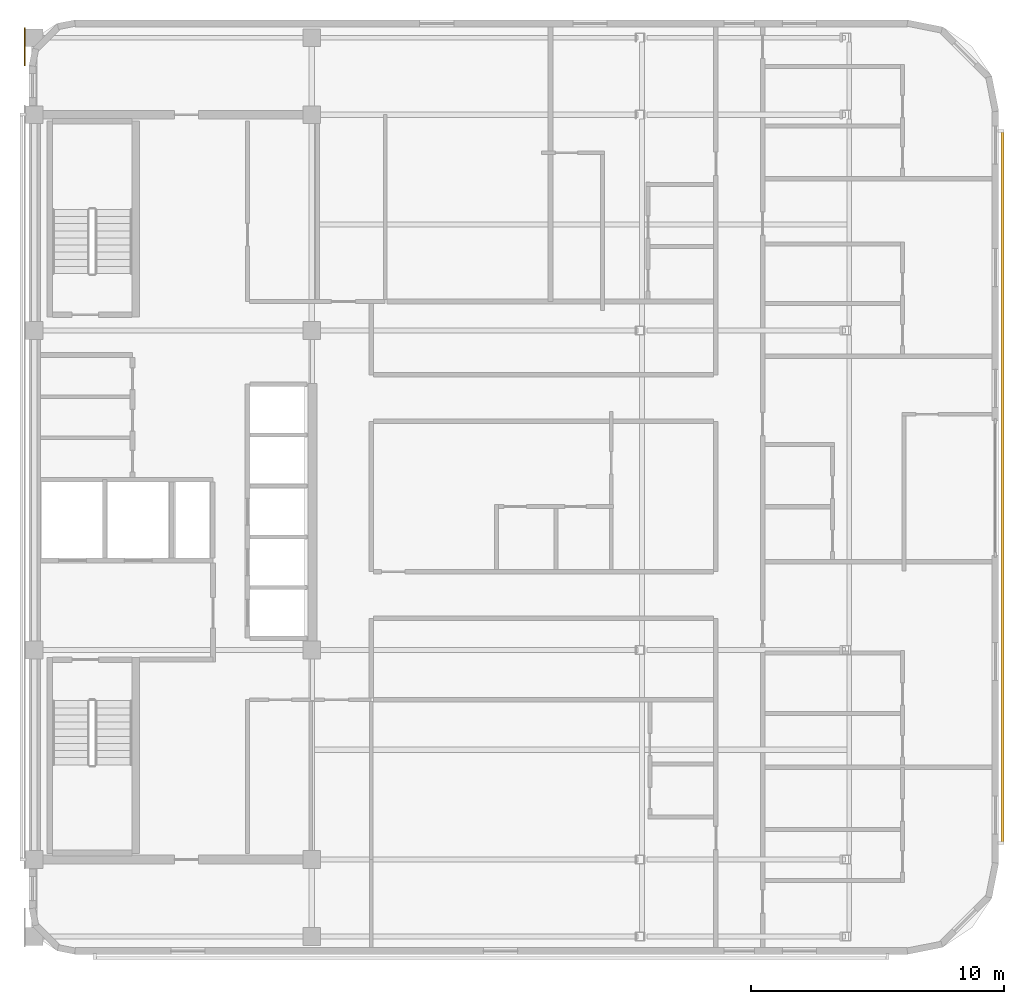
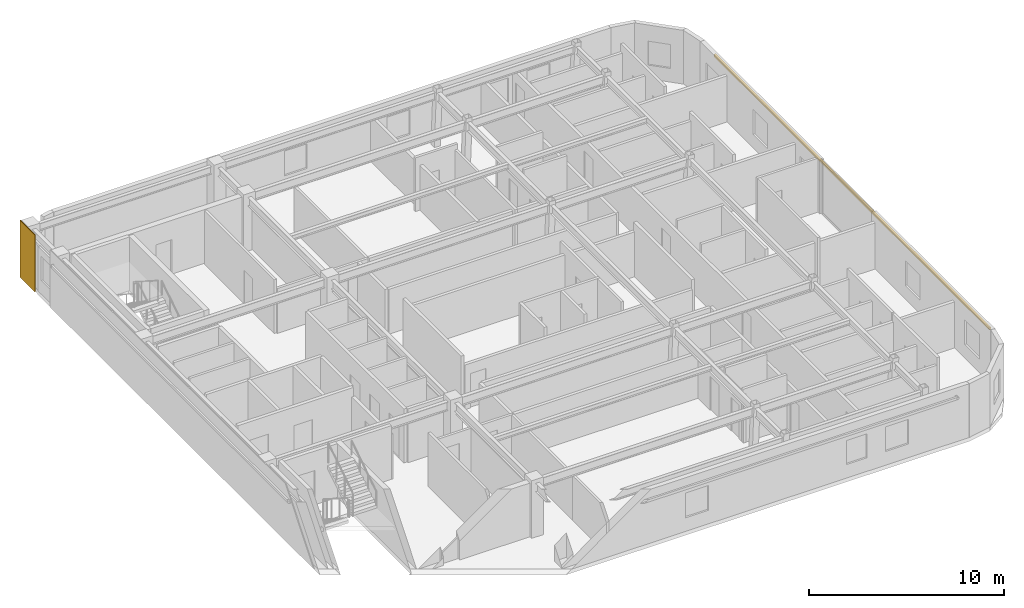
# One storey, part 10 of 10: 1 covering, 1 shading device.
"""IFC4 building model written with IfcOpenShell, lengths in metres."""

import ifcopenshell
import ifcopenshell.guid

model = None  # the IFC model being written
_history = None  # IfcOwnerHistory: only IFC2X3 demands one
_inside = {}  # id of a spatial element -> (the spatial element, [elements in it])
_under = {}  # id of a project, library or spatial element -> (it, [spatial elements below it])
_declared = {}  # id of a project -> (the project, [libraries it declares])
_typed = {}  # id of a type object -> (the type object, [elements of that type])
_made_of = {}  # id of a material, layer set ... -> (it, [elements and type objects made of it])


def new_model(schema):
    """Start an empty IFC model of exactly this schema.

    Asked for "IFC4X3", IfcOpenShell would pick the latest addendum, in which some entities
    have other attributes; the version numbers below select the first issue.
    IFC2X3 requires an IfcOwnerHistory on every rooted entity: one is made here for all.
    """
    global model, _history
    if schema == "IFC4X3":
        model = ifcopenshell.file(schema_version=(4, 3, 0, 0))
    else:
        model = ifcopenshell.file(schema=schema)
    _inside.clear()
    _under.clear()
    _declared.clear()
    _typed.clear()
    _made_of.clear()
    _history = None
    if model.schema == "IFC2X3":
        org = make("IfcOrganization", Name="unknown")
        user = make(
            "IfcPersonAndOrganization",
            ThePerson=make("IfcPerson", FamilyName="unknown"),
            TheOrganization=org,
        )
        app = make(
            "IfcApplication",
            ApplicationDeveloper=org,
            Version="unknown",
            ApplicationFullName="unknown",
            ApplicationIdentifier="unknown",
        )
        _history = make(
            "IfcOwnerHistory",
            OwningUser=user,
            OwningApplication=app,
            ChangeAction="ADDED",
            CreationDate=0,
        )
    return model


def make(cls, **values):
    """One entity of the class cls with the attributes given. An attribute that is None is left unset."""
    return model.create_entity(
        cls, **{name: value for name, value in values.items() if value is not None}
    )


def rooted(cls, **values):
    """An entity with a GlobalId (a new one), such as an element, a storey or a relation."""
    return make(cls, GlobalId=ifcopenshell.guid.new(), OwnerHistory=_history, **values)


def si_unit(unit_type, name, prefix=None):
    """IfcSIUnit, for example si_unit("LENGTHUNIT", "METRE", prefix="MILLI")."""
    return make("IfcSIUnit", UnitType=unit_type, Prefix=prefix, Name=name)


def assignment(units):
    """IfcUnitAssignment: the units of a project."""
    return None if units is None else make("IfcUnitAssignment", Units=units)


def point(xyz):
    """IfcCartesianPoint."""
    return None if xyz is None else make("IfcCartesianPoint", Coordinates=xyz)


def direction(xyz):
    """IfcDirection."""
    return None if xyz is None else make("IfcDirection", DirectionRatios=xyz)


def frame(location, z_axis=None, x_axis=None):
    """IfcAxis2Placement3D, a coordinate frame: its origin and axes. An axis left out is left unset."""
    return make(
        "IfcAxis2Placement3D",
        Location=point(location),
        Axis=direction(z_axis),
        RefDirection=direction(x_axis),
    )


def frame_2d(location, x_axis=None):
    """IfcAxis2Placement2D, a coordinate frame in the plane: its origin and x axis."""
    return make(
        "IfcAxis2Placement2D", Location=point(location), RefDirection=direction(x_axis)
    )


def origin():
    """The frame at (0, 0, 0) with its axes left unset."""
    return frame((0.0, 0.0, 0.0))


def origin_2d():
    """The frame at (0, 0) in the plane with its x axis left unset."""
    return frame_2d((0.0, 0.0))


def place(relative_to, where):
    """IfcLocalPlacement: puts the frame where relative to a parent placement (None: the world)."""
    return make(
        "IfcLocalPlacement", PlacementRelTo=relative_to, RelativePlacement=where
    )


def context(
    kind, dimensions, precision=None, world=None, true_north=None, identifier=None
):
    """IfcGeometricRepresentationContext, for example the 3D "Model" context."""
    return make(
        "IfcGeometricRepresentationContext",
        ContextIdentifier=identifier,
        ContextType=kind,
        CoordinateSpaceDimension=dimensions,
        Precision=precision,
        WorldCoordinateSystem=world,
        TrueNorth=true_north,
    )


def subcontext(parent, identifier, kind, view, scale=None):
    """IfcGeometricRepresentationSubContext, for example "Body" below "Model"."""
    return make(
        "IfcGeometricRepresentationSubContext",
        ContextIdentifier=identifier,
        ContextType=kind,
        ParentContext=parent,
        TargetScale=scale,
        TargetView=view,
    )


def project(units=None, contexts=None):
    """IfcProject with its units and contexts."""
    return rooted(
        "IfcProject",
        Name="project",
        RepresentationContexts=contexts,
        UnitsInContext=assignment(units),
    )


def spatial(cls, under=None, at=None, **own):
    """A site, building, storey or space (cls), placed at a placement, below another one or the project."""
    s = rooted(cls, ObjectPlacement=at, **own)
    if under is not None:
        _under.setdefault(under.id(), (under, []))[1].append(s)
    return s


def profile(cls, at=None, kind="AREA", **sizes):
    """A parametric profile (cls). Its sizes go by their IFC names, for example OverallWidth=200.0."""
    return make(cls, ProfileType=kind, Position=at, **sizes)


def rectangle(**sizes):
    """IfcRectangleProfileDef."""
    return profile("IfcRectangleProfileDef", **sizes)


def extrude(swept, where, along, depth):
    """IfcExtrudedAreaSolid: the profile swept, set in the frame where, extruded along a direction by depth."""
    return make(
        "IfcExtrudedAreaSolid",
        SweptArea=swept,
        Position=where,
        ExtrudedDirection=direction(along),
        Depth=depth,
    )


def shape(context_of_items, identifier, shape_type, items):
    """IfcShapeRepresentation: the items that make up one representation, for example the "Body"."""
    return make(
        "IfcShapeRepresentation",
        ContextOfItems=context_of_items,
        RepresentationIdentifier=identifier,
        RepresentationType=shape_type,
        Items=items,
    )


def material(Name=None, Category=None):
    """IfcMaterial."""
    return make("IfcMaterial", Name=Name, Category=Category)


def layer(
    of_material, thickness, ventilated=None, Name=None, Category=None, Priority=None
):
    """IfcMaterialLayer: one layer of a wall or slab, of a material (None: an air gap)."""
    return make(
        "IfcMaterialLayer",
        Material=of_material,
        LayerThickness=thickness,
        IsVentilated=ventilated,
        Name=Name,
        Category=Category,
        Priority=Priority,
    )


def layer_set(layers, Name=None):
    """IfcMaterialLayerSet."""
    return make("IfcMaterialLayerSet", MaterialLayers=layers, LayerSetName=Name)


def material_profile(
    of_material, cross_section, Name=None, Category=None, Priority=None
):
    """IfcMaterialProfile: a cross section and its material."""
    return make(
        "IfcMaterialProfile",
        Name=Name,
        Material=of_material,
        Profile=cross_section,
        Priority=Priority,
        Category=Category,
    )


def profile_set(profiles, Name=None, composite=None):
    """IfcMaterialProfileSet."""
    return make(
        "IfcMaterialProfileSet",
        Name=Name,
        MaterialProfiles=profiles,
        CompositeProfile=composite,
    )


def made_of(thing, what):
    """Note that an element or type object is made of a material, layer set ...; save() writes the relation."""
    if what is not None:
        _made_of.setdefault(what.id(), (what, []))[1].append(thing)
    return thing


def type_object(cls, material=None, **own):
    """A type object (cls), such as IfcWallType, which elements share."""
    return made_of(rooted(cls, **own), material)


def element(
    cls,
    number,
    at=None,
    inside=None,
    cuts=None,
    type_object=None,
    material=None,
    context=None,
    identifier="Body",
    shape_type=None,
    held_by="IfcProductDefinitionShape",
    body=None,
    shapes=None,
    **own,
):
    """One element of the class cls, such as IfcWall. Its Tag is "e" and its number.

    at: its placement. inside: the storey or other place that contains it. cuts: it is an
    opening in that element (IfcRelVoidsElement). A single representation is given by context,
    identifier, shape_type and body (its items); several are given by shapes. held_by: the class
    of the entity that holds the representations. save() writes the other relations.
    """
    e = rooted(cls, Tag="e%d" % number, ObjectPlacement=at, **own)
    if body is not None:
        shapes = [shape(context, identifier, shape_type, body)]
    if shapes is not None:
        e.Representation = make(held_by, Representations=shapes)
    if inside is not None:
        _inside.setdefault(inside.id(), (inside, []))[1].append(e)
    if cuts is not None:
        rooted(
            "IfcRelVoidsElement", RelatingBuildingElement=cuts, RelatedOpeningElement=e
        )
    if type_object is not None:
        _typed.setdefault(type_object.id(), (type_object, []))[1].append(e)
    return made_of(e, material)


def aggregate(whole, parts):
    """IfcRelAggregates: a whole, such as a stair, and the parts it consists of."""
    return rooted("IfcRelAggregates", RelatingObject=whole, RelatedObjects=parts)


def save(model, path):
    """Write the relations noted so far, then the file.

    IfcRelAggregates (storeys below a building ...), IfcRelContainedInSpatialStructure (elements
    in a storey), IfcRelDefinesByType, IfcRelAssociatesMaterial and IfcRelDeclares: one each for
    every whole, place, type object, material and project.
    """
    for whole, parts in _under.values():
        aggregate(whole, parts)
    for where, things in _inside.values():
        rooted(
            "IfcRelContainedInSpatialStructure",
            RelatedElements=things,
            RelatingStructure=where,
        )
    for kind, things in _typed.values():
        rooted("IfcRelDefinesByType", RelatedObjects=things, RelatingType=kind)
    for what, things in _made_of.values():
        rooted("IfcRelAssociatesMaterial", RelatedObjects=things, RelatingMaterial=what)
    for by, libraries in _declared.values():
        rooted("IfcRelDeclares", RelatingContext=by, RelatedDefinitions=libraries)
    model.write(path)


model = new_model("IFC4")

# Units and contexts
model_context = context("Model", 3, precision=1e-05, world=origin(), true_north=direction((0.0, 1.0)))
body_context = subcontext(model_context, "Body", "Model", "MODEL_VIEW")
ifc_project = project(units=[si_unit("LENGTHUNIT", "METRE"), si_unit("AREAUNIT", "SQUARE_METRE"), si_unit("VOLUMEUNIT", "CUBIC_METRE"), si_unit("PLANEANGLEUNIT", "RADIAN"), si_unit("MASSUNIT", "GRAM", prefix="KILO")], contexts=[model_context])

# Site, building, storey
site_placement = place(None, origin())
site = spatial("IfcSite", under=ifc_project, at=site_placement, CompositionType="ELEMENT")
building_placement = place(site_placement, origin())
building = spatial("IfcBuilding", under=site, at=building_placement, Name="Ochreholt Gables", CompositionType="ELEMENT")
storey_placement = place(building_placement, frame((0.0, 0.0, 235.199951171875)))
storey = spatial("IfcBuildingStorey", under=building, at=storey_placement, Name="L61", CompositionType="ELEMENT", Elevation=235.199951171875)

# Covering
ifc_material_1 = material(Name="Glazed Ochre Terracotta Rainscreen Cladding", Category="masonry")
ifc_layer = layer(ifc_material_1, 0.044921875, Name="Glazed Ochre Terracotta Rainscreen Cladding")
ifc_layer_set = layer_set([ifc_layer], Name="Glazed Ochre Terracotta Rainscreen Cladding")
covering_type = type_object("IfcCoveringType", Name="COV-CLAD-TC", PredefinedType="CLADDING", material=ifc_layer_set)
covering_placement = place(storey_placement, frame((23.827880859375, 41.43994140625, 0.010009765625), z_axis=(0.0, 0.0, 1.0), x_axis=(0.0, 1.0, 0.0)))
element("IfcCovering", 1, at=covering_placement, inside=storey, type_object=covering_type, Name="L61 North-West Pier Terracotta Cladding", PredefinedType="CLADDING", context=body_context, shape_type="SweptSolid", body=[
    extrude(rectangle(XDim=1.52001953125, YDim=0.044921875, at=origin_2d()), origin(), (0.0, 0.0, 1.0), 3.580078125),
])

# Shading device
ifc_material_2 = material(Name="Warm Ochre Glazed Terracotta Baguette", Category="masonry")
ifc_material_profile = material_profile(ifc_material_2, rectangle(XDim=0.110107421875, YDim=0.14990234375, at=origin_2d()), Name="TCBAG110X150")
ifc_profile_set = profile_set([ifc_material_profile], Name="Warm Ochre Glazed Terracotta Baguette")
shading_device_type = type_object("IfcShadingDeviceType", Name="SHD-BAGUETTE", PredefinedType="USERDEFINED", material=ifc_profile_set)
shading_device_placement = place(storey_placement, frame((62.550048828125, 9.89990234375, 2.840087890625), z_axis=(0.0, 1.0, 0.0), x_axis=(-1.0, 0.0, 0.0)))
element("IfcShadingDevice", 2, at=shading_device_placement, inside=storey, type_object=shading_device_type, Name="L61 Terracotta Baguette Screen E-1", ObjectType="BAGUETTE", PredefinedType="USERDEFINED", context=body_context, shape_type="SweptSolid", body=[
    extrude(rectangle(XDim=0.110107421875, YDim=0.14990234375, at=origin_2d()), origin(), (0.0, 0.0, 1.0), 28.2001953125),
])

save(model, "model.ifc")
